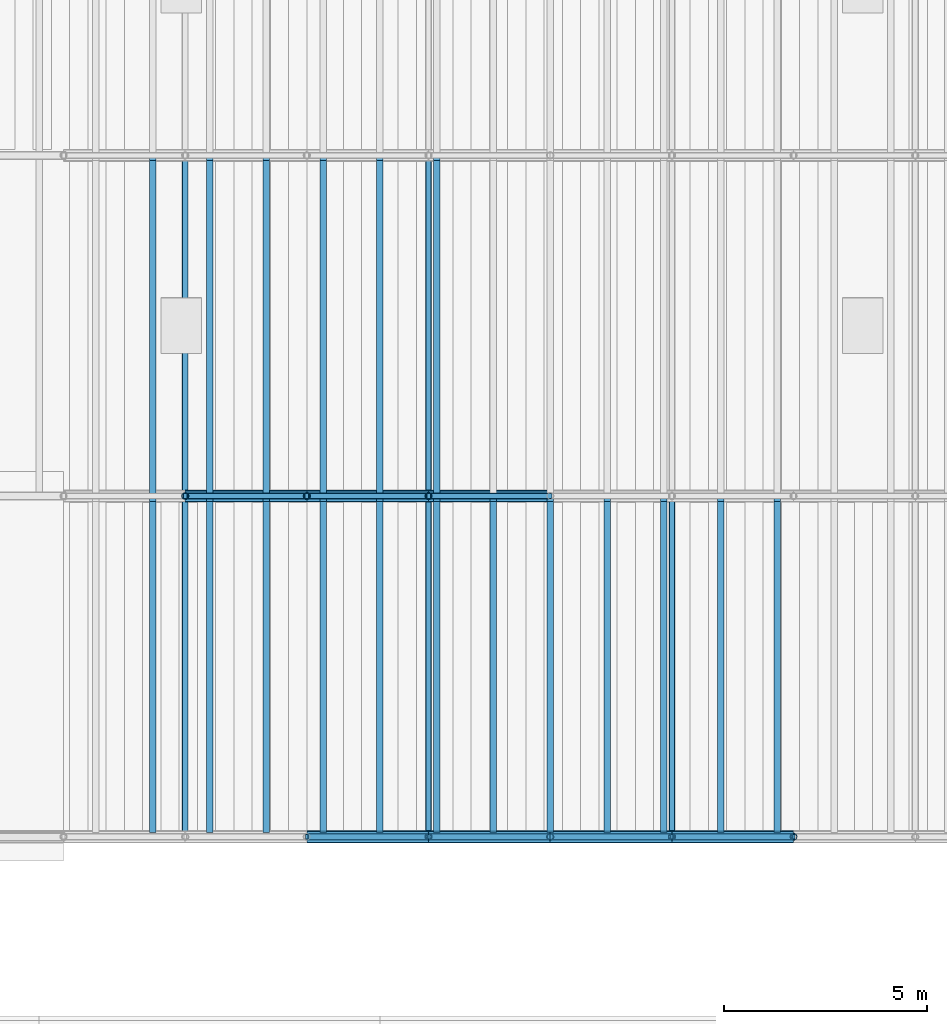
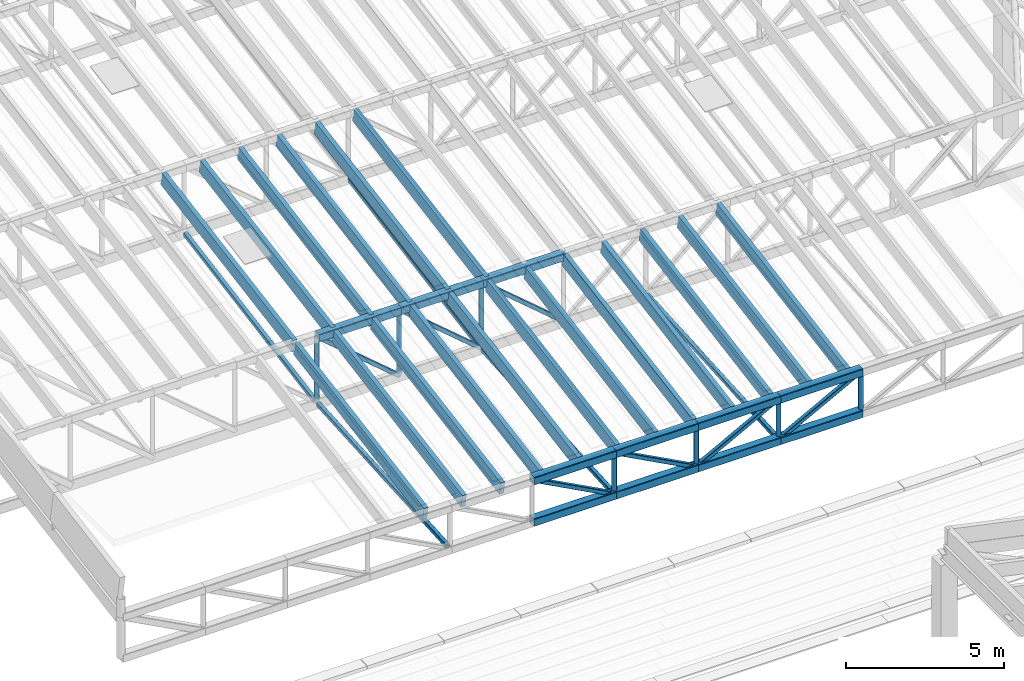
# One storey, part 3 of 91: 48 members.
"""IFC4 building model written with IfcOpenShell, lengths in metres."""

from ifc_helpers import new_model, si_unit, direction, frame, origin, origin_2d, place, context, subcontext, project, spatial, rectangle, hollow_rectangle, hollow_circle, extrude, material, material_profile, profile_set, type_object, element, save


model = new_model("IFC4")

# Units and contexts
model_context = context("Model", 3, precision=1e-05, world=origin(), true_north=direction((0.0, 1.0)))
body_context = subcontext(model_context, "Body", "Model", "MODEL_VIEW")
ifc_project = project(units=[si_unit("LENGTHUNIT", "METRE"), si_unit("AREAUNIT", "SQUARE_METRE"), si_unit("VOLUMEUNIT", "CUBIC_METRE"), si_unit("PLANEANGLEUNIT", "RADIAN"), si_unit("MASSUNIT", "GRAM", prefix="KILO")], contexts=[model_context])

# Site, building, storey
site_placement = place(None, origin())
site = spatial("IfcSite", under=ifc_project, at=site_placement, CompositionType="ELEMENT")
building_placement = place(site_placement, origin())
building = spatial("IfcBuilding", under=site, at=building_placement, Name="Almond Square Museum", CompositionType="ELEMENT")
storey_placement = place(building_placement, frame((0.0, 0.0, 30.0)))
storey = spatial("IfcBuildingStorey", under=building, at=storey_placement, Name="L05", CompositionType="ELEMENT", Elevation=30.0)

# Members
ifc_material_1 = material(Name="Glulam GL28h", Category="wood")
ifc_material_profile_1 = material_profile(ifc_material_1, rectangle(XDim=0.159912109375, YDim=0.5, at=origin_2d()))
ifc_profile_set_1 = profile_set([ifc_material_profile_1], Name="Glulam GL28h")
member_type_1 = type_object("IfcMemberType", Name="Glulam rafter GL28h 160x500", PredefinedType="RAFTER", material=ifc_profile_set_1)
for number, where, z_axis, x_axis, name in (
    (1, (118.0, 50.550048828125, 6.1708984375), (0.0, 0.985026965331, 0.172400340983), (-1.0, 0.0, 0.0), "Hall rafter 1.9"),
    (2, (119.39990234375, 50.550048828125, 6.1708984375), (0.0, 0.985026965331, 0.172400340983), (-1.0, 0.0, 0.0), "Hall rafter 1.10"),
    (3, (120.800048828125, 50.550048828125, 6.1708984375), (0.0, 0.985026965331, 0.172400340983), (-1.0, 0.0, 0.0), "Hall rafter 1.11"),
    (4, (122.199951171875, 50.550048828125, 6.1708984375), (0.0, 0.985026965331, 0.172400340983), (-1.0, 0.0, 0.0), "Hall rafter 1.12"),
    (5, (123.60009765625, 50.550048828125, 6.1708984375), (0.0, 0.985026965331, 0.172400340983), (-1.0, 0.0, 0.0), "Hall rafter 1.13"),
    (6, (125.0, 50.550048828125, 6.1708984375), (0.0, 0.985026965331, 0.172400340983), (-1.0, 0.0, 0.0), "Hall rafter 1.14"),
    (7, (126.39990234375, 50.550048828125, 6.1708984375), (0.0, 0.985026965331, 0.172400340983), (-1.0, 0.0, 0.0), "Hall rafter 1.15"),
    (8, (127.800048828125, 50.550048828125, 6.1708984375), (0.0, 0.985026965331, 0.172400340983), (-1.0, 0.0, 0.0), "Hall rafter 1.16"),
    (9, (129.199951171875, 50.550048828125, 6.1708984375), (0.0, 0.985026965331, 0.172400340983), (-1.0, 0.0, 0.0), "Hall rafter 1.17"),
    (10, (130.60009765625, 50.550048828125, 6.1708984375), (0.0, 0.985026965331, 0.172400340983), (-1.0, 0.0, 0.0), "Hall rafter 1.18"),
    (11, (132.0, 50.550048828125, 6.1708984375), (0.0, 0.985026965331, 0.172400340983), (-1.0, 0.0, 0.0), "Hall rafter 1.19"),
    (12, (133.39990234375, 50.550048828125, 6.1708984375), (0.0, 0.985026965331, 0.172400340983), (-1.0, 0.0, 0.0), "Hall rafter 1.20"),
):
    element("IfcMember", number, at=place(storey_placement, frame(where, z_axis=z_axis, x_axis=x_axis)), inside=storey, type_object=member_type_1, Name=name, PredefinedType="RAFTER", context=body_context, shape_type="SweptSolid", body=[
        extrude(rectangle(XDim=0.159912109375, YDim=0.5, at=origin_2d()), origin(), (0.0, 0.0, 1.0), 8.287109375),
    ])
for number, where, z_axis, x_axis, name in (
    (13, (118.0, 58.830078125, 7.619873046875), (0.0, 0.985026646226, 0.172402164214), (-1.0, 0.0, 0.0), "Hall rafter 2.9"),
    (14, (119.39990234375, 58.830078125, 7.619873046875), (0.0, 0.985026646226, 0.172402164214), (-1.0, 0.0, 0.0), "Hall rafter 2.10"),
    (15, (120.800048828125, 58.830078125, 7.619873046875), (0.0, 0.985026646226, 0.172402164214), (-1.0, 0.0, 0.0), "Hall rafter 2.11"),
    (16, (122.199951171875, 58.830078125, 7.619873046875), (0.0, 0.985026646226, 0.172402164214), (-1.0, 0.0, 0.0), "Hall rafter 2.12"),
    (17, (123.60009765625, 58.830078125, 7.619873046875), (0.0, 0.985026646226, 0.172402164214), (-1.0, 0.0, 0.0), "Hall rafter 2.13"),
    (18, (125.0, 58.830078125, 7.619873046875), (0.0, 0.985026646226, 0.172402164214), (-1.0, 0.0, 0.0), "Hall rafter 2.14"),
):
    element("IfcMember", number, at=place(storey_placement, frame(where, z_axis=z_axis, x_axis=x_axis)), inside=storey, type_object=member_type_1, Name=name, PredefinedType="RAFTER", context=body_context, shape_type="SweptSolid", body=[
        extrude(rectangle(XDim=0.159912109375, YDim=0.5, at=origin_2d()), origin(), (0.0, 0.0, 1.0), 8.408935546875),
    ])
ifc_material_2 = material(Name="Structural steel S355", Category="steel")
ifc_material_profile_2 = material_profile(ifc_material_2, hollow_rectangle(XDim=0.300048828125, YDim=0.300048828125, WallThickness=0.012451171875, InnerFilletRadius=0.02490234375, OuterFilletRadius=0.03759765625, at=origin_2d()))
ifc_profile_set_2 = profile_set([ifc_material_profile_2], Name="Structural steel S355")
member_type_2 = type_object("IfcMemberType", Name="Truss chord SHS 300x300x12.5", PredefinedType="CHORD", material=ifc_profile_set_2)
for number, where, z_axis, x_axis, name in (
    (19, (121.800048828125, 50.39990234375, 6.24853515625), (1.0, 0.0, 0.0), (0.0, 1.0, 0.0), "TR-01 top chord 6"),
    (20, (121.800048828125, 50.39990234375, 4.64990234375), (1.0, 0.0, 0.0), (0.0, 1.0, 0.0), "TR-01 bottom chord 6"),
    (21, (124.800048828125, 50.39990234375, 6.24853515625), (1.0, 0.0, 0.0), (0.0, 1.0, 0.0), "TR-01 top chord 7"),
    (22, (124.800048828125, 50.39990234375, 4.64990234375), (1.0, 0.0, 0.0), (0.0, 1.0, 0.0), "TR-01 bottom chord 7"),
    (23, (127.800048828125, 50.39990234375, 6.24853515625), (1.0, 0.0, 0.0), (0.0, 1.0, 0.0), "TR-01 top chord 8"),
    (24, (127.800048828125, 50.39990234375, 4.64990234375), (1.0, 0.0, 0.0), (0.0, 1.0, 0.0), "TR-01 bottom chord 8"),
    (25, (130.800048828125, 50.39990234375, 6.24853515625), (1.0, 0.0, 0.0), (0.0, 1.0, 0.0), "TR-01 top chord 9"),
    (26, (130.800048828125, 50.39990234375, 4.64990234375), (1.0, 0.0, 0.0), (0.0, 1.0, 0.0), "TR-01 bottom chord 9"),
    (27, (118.800048828125, 58.800048828125, 7.718505859375), (1.0, 0.0, 0.0), (0.0, 1.0, 0.0), "TR-02 top chord 5"),
    (28, (121.800048828125, 58.800048828125, 7.718505859375), (1.0, 0.0, 0.0), (0.0, 1.0, 0.0), "TR-02 top chord 6"),
    (29, (124.800048828125, 58.800048828125, 7.718505859375), (1.0, 0.0, 0.0), (0.0, 1.0, 0.0), "TR-02 top chord 7"),
):
    element("IfcMember", number, at=place(storey_placement, frame(where, z_axis=z_axis, x_axis=x_axis)), inside=storey, type_object=member_type_2, Name=name, PredefinedType="CHORD", context=body_context, shape_type="SweptSolid", body=[
        extrude(hollow_rectangle(XDim=0.300048828125, YDim=0.300048828125, WallThickness=0.012451171875, InnerFilletRadius=0.02490234375, OuterFilletRadius=0.03759765625, at=origin_2d()), origin(), (0.0, 0.0, 1.0), 3.0),
    ])
ifc_material_3 = material(Name="Structural steel S355", Category="steel")
ifc_material_profile_3 = material_profile(ifc_material_3, hollow_rectangle(XDim=0.14990234375, YDim=0.14990234375, WallThickness=0.008056640625, InnerFilletRadius=0.011962890625, OuterFilletRadius=0.02001953125, at=origin_2d()))
ifc_profile_set_3 = profile_set([ifc_material_profile_3], Name="Structural steel S355")
member_type_3 = type_object("IfcMemberType", Name="Truss diagonal SHS 150x150x8", PredefinedType="BRACE", material=ifc_profile_set_3)
for number, where, z_axis, x_axis, name in (
    (30, (121.800048828125, 50.39990234375, 6.24853515625), (0.882519884946, 0.0, -0.47027508192), (0.0, 1.0, 0.0), "TR-01 diagonal 6"),
    (31, (124.800048828125, 50.39990234375, 6.24853515625), (0.882519884946, 0.0, -0.47027508192), (0.0, 1.0, 0.0), "TR-01 diagonal 7"),
    (32, (127.800048828125, 50.39990234375, 4.64990234375), (0.882519884946, 0.0, 0.47027508192), (0.0, 1.0, 0.0), "TR-01 diagonal 8"),
    (33, (130.800048828125, 50.39990234375, 4.64990234375), (0.882519884946, 0.0, 0.47027508192), (0.0, 1.0, 0.0), "TR-01 diagonal 9"),
):
    element("IfcMember", number, at=place(storey_placement, frame(where, z_axis=z_axis, x_axis=x_axis)), inside=storey, type_object=member_type_3, Name=name, PredefinedType="BRACE", context=body_context, shape_type="SweptSolid", body=[
        extrude(hollow_rectangle(XDim=0.14990234375, YDim=0.14990234375, WallThickness=0.008056640625, InnerFilletRadius=0.011962890625, OuterFilletRadius=0.02001953125, at=origin_2d()), origin(), (0.0, 0.0, 1.0), 3.3994140625),
    ])
for number, where, z_axis, x_axis, name in (
    (34, (118.800048828125, 58.800048828125, 7.718505859375), (0.762116801264, 0.0, -0.647439557975), (0.0, 1.0, 0.0), "TR-02 diagonal 5"),
    (35, (121.800048828125, 58.800048828125, 7.718505859375), (0.762116801264, 0.0, -0.647439557975), (0.0, 1.0, 0.0), "TR-02 diagonal 6"),
    (36, (124.800048828125, 58.800048828125, 7.718505859375), (0.762116801264, 0.0, -0.647439557975), (0.0, 1.0, 0.0), "TR-02 diagonal 7"),
):
    element("IfcMember", number, at=place(storey_placement, frame(where, z_axis=z_axis, x_axis=x_axis)), inside=storey, type_object=member_type_3, Name=name, PredefinedType="BRACE", context=body_context, shape_type="SweptSolid", body=[
        extrude(hollow_rectangle(XDim=0.14990234375, YDim=0.14990234375, WallThickness=0.008056640625, InnerFilletRadius=0.011962890625, OuterFilletRadius=0.02001953125, at=origin_2d()), origin(), (0.0, 0.0, 1.0), 3.9365234375),
    ])
ifc_material_4 = material(Name="Structural steel S355", Category="steel")
ifc_material_profile_4 = material_profile(ifc_material_4, hollow_circle(Radius=0.084228515625, WallThickness=0.008056640625, at=origin_2d()))
ifc_profile_set_4 = profile_set([ifc_material_profile_4], Name="Structural steel S355")
member_type_4 = type_object("IfcMemberType", Name="Truss post CHS 168.3x8", PredefinedType="POST", material=ifc_profile_set_4)
for number, where, z_axis, x_axis, name in (
    (37, (124.800048828125, 50.39990234375, 4.64990234375), (0.0, 0.0, 1.0), (1.0, 0.0, 0.0), "TR-01 post 7"),
    (38, (127.800048828125, 50.39990234375, 4.64990234375), (0.0, 0.0, 1.0), (1.0, 0.0, 0.0), "TR-01 post 8"),
    (39, (130.800048828125, 50.39990234375, 4.64990234375), (0.0, 0.0, 1.0), (1.0, 0.0, 0.0), "TR-01 post 9"),
    (40, (133.800048828125, 50.39990234375, 4.64990234375), (0.0, 0.0, 1.0), (1.0, 0.0, 0.0), "TR-01 post 10"),
):
    element("IfcMember", number, at=place(storey_placement, frame(where, z_axis=z_axis, x_axis=x_axis)), inside=storey, type_object=member_type_4, Name=name, PredefinedType="POST", context=body_context, shape_type="SweptSolid", body=[
        extrude(hollow_circle(Radius=0.084228515625, WallThickness=0.008056640625, at=origin_2d()), origin(), (0.0, 0.0, 1.0), 1.5986328125),
    ])
for number, where, z_axis, x_axis, name in (
    (41, (118.800048828125, 58.800048828125, 5.169921875), (0.0, 0.0, 1.0), (1.0, 0.0, 0.0), "TR-02 post 5"),
    (42, (121.800048828125, 58.800048828125, 5.169921875), (0.0, 0.0, 1.0), (1.0, 0.0, 0.0), "TR-02 post 6"),
    (43, (124.800048828125, 58.800048828125, 5.169921875), (0.0, 0.0, 1.0), (1.0, 0.0, 0.0), "TR-02 post 7"),
):
    element("IfcMember", number, at=place(storey_placement, frame(where, z_axis=z_axis, x_axis=x_axis)), inside=storey, type_object=member_type_4, Name=name, PredefinedType="POST", context=body_context, shape_type="SweptSolid", body=[
        extrude(hollow_circle(Radius=0.084228515625, WallThickness=0.008056640625, at=origin_2d()), origin(), (0.0, 0.0, 1.0), 2.548583984375),
    ])
ifc_material_5 = material(Name="Structural steel S355", Category="steel")
ifc_material_profile_5 = material_profile(ifc_material_5, hollow_rectangle(XDim=0.14990234375, YDim=0.14990234375, WallThickness=0.008056640625, InnerFilletRadius=0.011962890625, OuterFilletRadius=0.02001953125, at=origin_2d()))
ifc_profile_set_5 = profile_set([ifc_material_profile_5], Name="Structural steel S355")
member_type_5 = type_object("IfcMemberType", Name="Truss tie SHS 150x150x8", PredefinedType="MEMBER", material=ifc_profile_set_5)
for number, where, z_axis, x_axis, name in (
    (44, (118.800048828125, 50.52490234375, 4.64990234375), (0.0, 0.997995281328, 0.06328837529), (-1.0, 0.0, 0.0), "Hall bay 1 tie 3"),
    (45, (124.800048828125, 50.52490234375, 4.64990234375), (0.0, 0.997995281328, 0.06328837529), (-1.0, 0.0, 0.0), "Hall bay 1 tie 4"),
    (46, (130.800048828125, 50.52490234375, 4.64990234375), (0.0, 0.997995281328, 0.06328837529), (-1.0, 0.0, 0.0), "Hall bay 1 tie 5"),
):
    element("IfcMember", number, at=place(storey_placement, frame(where, z_axis=z_axis, x_axis=x_axis)), inside=storey, type_object=member_type_5, Name=name, PredefinedType="MEMBER", context=body_context, shape_type="SweptSolid", body=[
        extrude(hollow_rectangle(XDim=0.14990234375, YDim=0.14990234375, WallThickness=0.008056640625, InnerFilletRadius=0.011962890625, OuterFilletRadius=0.02001953125, at=origin_2d()), origin(), (0.0, 0.0, 1.0), 8.216552734375),
    ])
for number, where, z_axis, x_axis, name in (
    (47, (118.800048828125, 58.875, 5.169921875), (0.0, 0.984494486924, 0.175415521596), (-1.0, 0.0, 0.0), "Hall bay 2 tie 3"),
    (48, (124.800048828125, 58.875, 5.169921875), (0.0, 0.984494486924, 0.175415521596), (-1.0, 0.0, 0.0), "Hall bay 2 tie 4"),
):
    element("IfcMember", number, at=place(storey_placement, frame(where, z_axis=z_axis, x_axis=x_axis)), inside=storey, type_object=member_type_5, Name=name, PredefinedType="MEMBER", context=body_context, shape_type="SweptSolid", body=[
        extrude(hollow_rectangle(XDim=0.14990234375, YDim=0.14990234375, WallThickness=0.008056640625, InnerFilletRadius=0.011962890625, OuterFilletRadius=0.02001953125, at=origin_2d()), origin(), (0.0, 0.0, 1.0), 8.3798828125),
    ])

save(model, "model.ifc")
